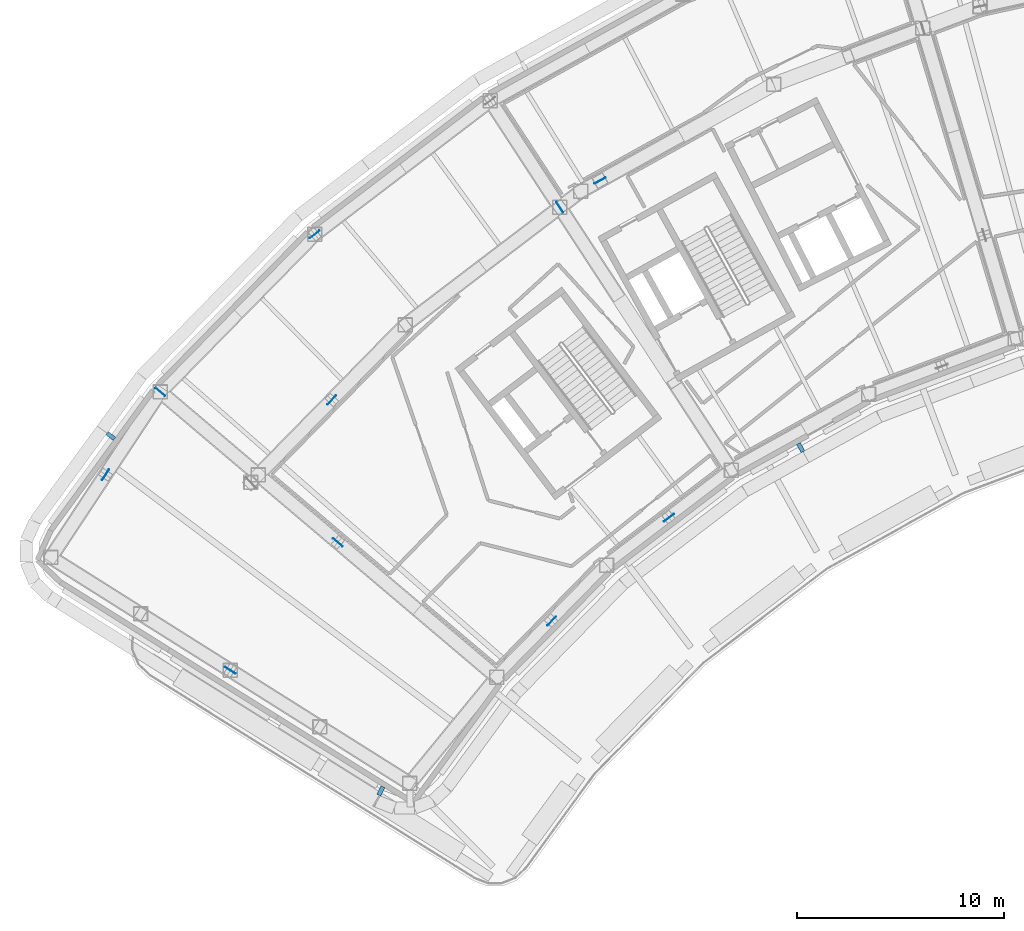
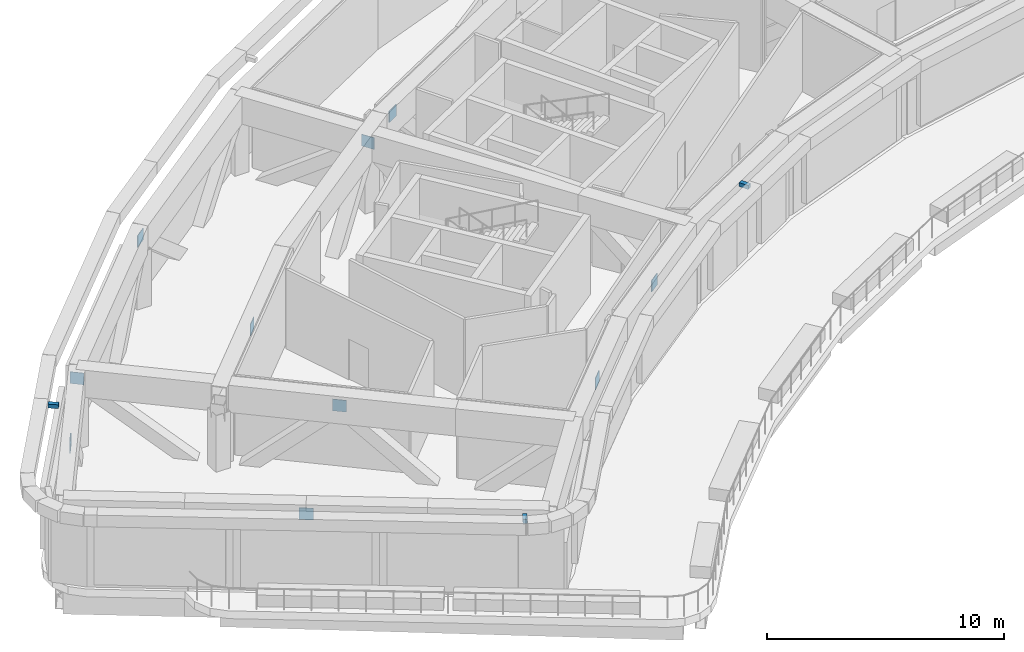
# One storey, part 16 of 26: 13 discrete accessories.
"""IFC4 building model written with IfcOpenShell, lengths in metres."""

from ifc_helpers import new_model, si_unit, direction, frame, origin, origin_2d, place, context, subcontext, project, spatial, rectangle, extrude, material, type_object, element, save


model = new_model("IFC4")

# Units and contexts
model_context = context("Model", 3, precision=1e-05, world=origin(), true_north=direction((0.0, 1.0)))
body_context = subcontext(model_context, "Body", "Model", "MODEL_VIEW")
ifc_project = project(units=[si_unit("LENGTHUNIT", "METRE"), si_unit("AREAUNIT", "SQUARE_METRE"), si_unit("VOLUMEUNIT", "CUBIC_METRE"), si_unit("PLANEANGLEUNIT", "RADIAN"), si_unit("MASSUNIT", "GRAM", prefix="KILO")], contexts=[model_context])

# Site, building, storey
site_placement = place(None, origin())
site = spatial("IfcSite", under=ifc_project, at=site_placement, CompositionType="ELEMENT")
building_placement = place(site_placement, origin())
building = spatial("IfcBuilding", under=site, at=building_placement, Name="Tuul Gate Civic Tower", CompositionType="ELEMENT")
storey_placement = place(building_placement, frame((0.0, 0.0, 167.60009765625)))
storey = spatial("IfcBuildingStorey", under=building, at=storey_placement, Name="Plant and refuge floor 5", CompositionType="ELEMENT", Elevation=167.60009765625)

# Discrete accessories
ifc_material_1 = material(Name="Steel S355", Category="steel")
discrete_accessory_type_1 = type_object("IfcDiscreteAccessoryType", Name="Gusset plate", PredefinedType="BRACKET", material=ifc_material_1)
for number, where, z_axis, x_axis, name in (
    (1, (-36.0439453125, -3.56494140625, 3.103759765625), (0.0, 0.0, 1.0), (-0.546710516181, 0.837321689375, 0.0), "Gusset plate"),
    (2, (-55.384765625, -12.5, 3.10302734375), (0.0, 0.0, 1.0), (0.76282474496, -0.646605295738, 0.0), "Gusset plate"),
    (3, (-46.79052734375, -19.782470703125, 3.103271484375), (0.0, 0.0, 1.0), (-0.76282474496, 0.646605295738, 0.0), "Gusset plate"),
    (4, (-47.908203125, -4.874755859375, 3.10302734375), (0.0, 0.0, 1.0), (0.795663839612, 0.605738437227, 0.0), "Gusset plate"),
    (5, (-47.082275390625, -12.88916015625, 3.103271484375), (0.0, 0.0, 1.0), (0.700000236809, 0.714142610735, 0.0), "Gusset plate"),
    (6, (-34.09521484375, -2.27392578125, 3.10400390625), (0.0, 0.0, 1.0), (-0.874625054769, -0.484799972741, 0.0), "Gusset plate"),
    (7, (-58.031494140625, -16.506591796875, 3.103271484375), (0.0, 0.0, 1.0), (0.551597524527, 0.834110406922, 0.0), "Gusset plate"),
    (8, (-36.43408203125, -23.597900390625, 3.103759765625), (0.0, 0.0, 1.0), (-0.699958144192, -0.714183867347, 0.0), "Gusset plate"),
    (9, (-30.757080078125, -18.58740234375, 3.103759765625), (0.0, 0.0, 1.0), (-0.795616135693, -0.605801093284, 0.0), "Gusset plate"),
    (10, (-51.99609375, -25.98193359375, 3.103271484375), (0.0, 0.0, 1.0), (-0.846187288195, 0.532885609956, 0.0), "Gusset plate"),
):
    element("IfcDiscreteAccessory", number, at=place(storey_placement, frame(where, z_axis=z_axis, x_axis=x_axis)), inside=storey, type_object=discrete_accessory_type_1, Name=name, PredefinedType="BRACKET", context=body_context, shape_type="SweptSolid", body=[
        extrude(rectangle(XDim=0.60009765625, YDim=0.030029296875, at=origin_2d()), origin(), (0.0, 0.0, 1.0), 0.60009765625),
    ])
ifc_material_2 = material(Name="Stainless steel", Category="steel")
discrete_accessory_type_2 = type_object("IfcDiscreteAccessoryType", Name="Screen bracket", PredefinedType="BRACKET", material=ifc_material_2)
discrete_accessory_1_placement = place(storey_placement, frame((-57.7783203125, -14.63671875, 4.0498046875), z_axis=(0.0, 0.0, 1.0), x_axis=(-0.802893433111, 0.596122583927, 0.0)))
element("IfcDiscreteAccessory", 11, at=discrete_accessory_1_placement, inside=storey, type_object=discrete_accessory_type_2, Name="Screen bracket 16", PredefinedType="BRACKET", context=body_context, shape_type="SweptSolid", body=[
    extrude(rectangle(XDim=0.449951171875, YDim=0.199951171875, at=origin_2d()), origin(), (0.0, 0.0, 1.0), 0.199951171875),
])
discrete_accessory_2_placement = place(storey_placement, frame((-44.70263671875, -31.8193359375, 4.0498046875), z_axis=(0.0, 0.0, 1.0), x_axis=(-0.44884181103, -0.893611229043, 0.0)))
element("IfcDiscreteAccessory", 12, at=discrete_accessory_2_placement, inside=storey, type_object=discrete_accessory_type_2, Name="Screen bracket 19", PredefinedType="BRACKET", context=body_context, shape_type="SweptSolid", body=[
    extrude(rectangle(XDim=0.451904296875, YDim=0.199951171875, at=origin_2d()), origin(), (0.0, 0.0, 1.0), 0.199951171875),
])
discrete_accessory_3_placement = place(storey_placement, frame((-24.381591796875, -15.2001953125, 4.0498046875), z_axis=(0.0, 0.0, 1.0), x_axis=(0.490458166846, -0.871464736277, 0.0)))
element("IfcDiscreteAccessory", 13, at=discrete_accessory_3_placement, inside=storey, type_object=discrete_accessory_type_2, Name="Screen bracket 22", PredefinedType="BRACKET", context=body_context, shape_type="SweptSolid", body=[
    extrude(rectangle(XDim=0.449951171875, YDim=0.199951171875, at=origin_2d()), origin(), (0.0, 0.0, 1.0), 0.199951171875),
])

save(model, "model.ifc")
